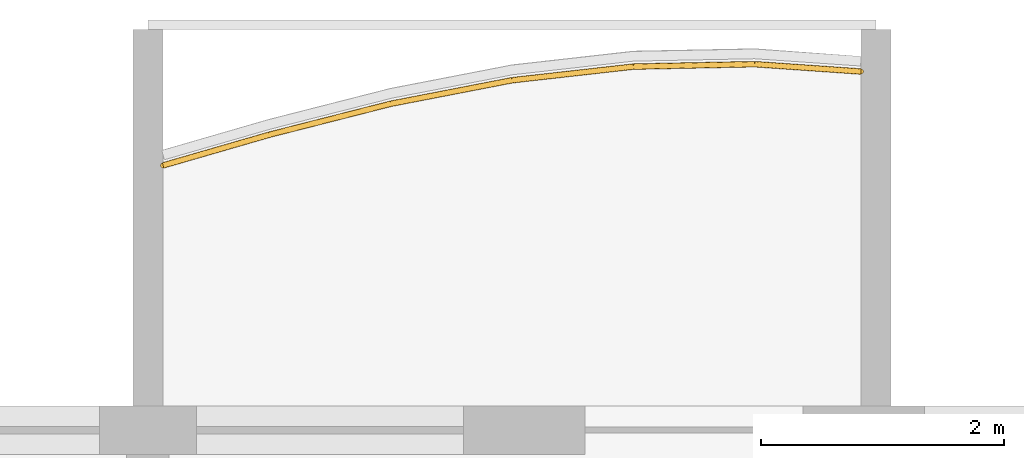
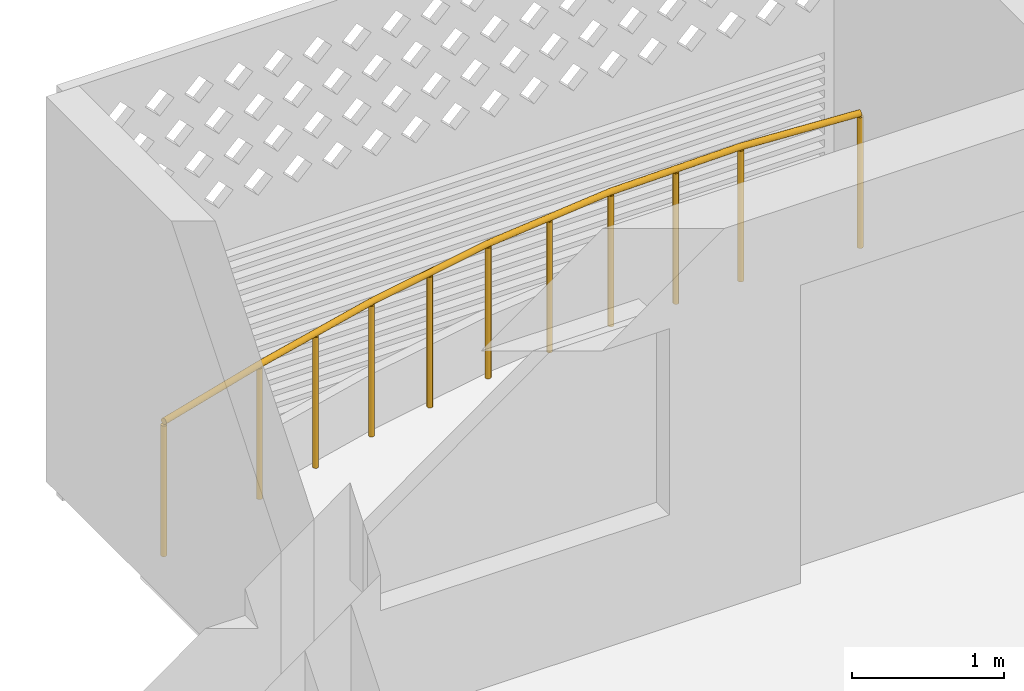
# One storey, part 20 of 30: 1 railing.
"""IFC4 building model written with IfcOpenShell, lengths in metres."""

from ifc_helpers import new_model, si_unit, direction, frame, origin, origin_2d, place, context, subcontext, project, spatial, circle, extrude, material, type_object, element, save


model = new_model("IFC4")

# Units and contexts
model_context = context("Model", 3, precision=1e-05, world=origin(), true_north=direction((0.0, 1.0)))
body_context = subcontext(model_context, "Body", "Model", "MODEL_VIEW")
ifc_project = project(units=[si_unit("LENGTHUNIT", "METRE"), si_unit("AREAUNIT", "SQUARE_METRE"), si_unit("VOLUMEUNIT", "CUBIC_METRE"), si_unit("PLANEANGLEUNIT", "RADIAN"), si_unit("MASSUNIT", "GRAM", prefix="KILO")], contexts=[model_context])

# Site, building, storey
site_placement = place(None, origin())
site = spatial("IfcSite", under=ifc_project, at=site_placement, CompositionType="ELEMENT")
building_placement = place(site_placement, origin())
building = spatial("IfcBuilding", under=site, at=building_placement, Name="Poui Terraces", CompositionType="ELEMENT")
storey_placement = place(building_placement, frame((0.0, 0.0, 99.300048828125)))
storey = spatial("IfcBuildingStorey", under=building, at=storey_placement, Name="L27", CompositionType="ELEMENT", Elevation=99.300048828125)

# Railing
ifc_material = material(Name="Painted steel fretwork", Category="steel")
railing_type = type_object("IfcRailingType", Name="BALCONY GUARD 1100", PredefinedType="GUARDRAIL", material=ifc_material)
railing_placement = place(storey_placement, frame((24.125, 45.78173828125, 0.0)))
element("IfcRailing", 1, at=railing_placement, inside=storey, type_object=railing_type, Name="BALCONY GUARD", PredefinedType="GUARDRAIL", context=body_context, shape_type="SweptSolid", body=[
    extrude(circle(Radius=0.02392578125, at=origin_2d()), frame((0.0, 0.0, 1.076171875), z_axis=(0.960669700127, 0.277693585193, 0.0), x_axis=(-0.277693585193, 0.960669700127, 0.0)), (0.0, 0.0, 1.0), 0.910888671875),
    extrude(circle(Radius=0.02392578125, at=origin_2d()), frame((0.875, 0.2529296875, 1.076171875), z_axis=(0.969018976325, 0.246986282052, 0.0), x_axis=(-0.246986282052, 0.969018976325, 0.0)), (0.0, 0.0, 1.0), 1.031982421875),
    extrude(circle(Radius=0.02392578125, at=origin_2d()), frame((1.875, 0.5078125, 1.076171875), z_axis=(0.981724998512, 0.190305090044, 0.0), x_axis=(-0.190305090044, 0.981724998512, 0.0)), (0.0, 0.0, 1.0), 1.0185546875),
    extrude(circle(Radius=0.02392578125, at=origin_2d()), frame((2.875, 0.70166015625, 1.076171875), z_axis=(0.993725924527, 0.111842688283, 0.0), x_axis=(-0.111842688283, 0.993725924527, 0.0)), (0.0, 0.0, 1.0), 1.00634765625),
    extrude(circle(Radius=0.02392578125, at=origin_2d()), frame((3.875, 0.814208984375, 1.076171875), z_axis=(0.999799669399, 0.020015520725, 0.0), x_axis=(-0.020015520725, 0.999799669399, 0.0)), (0.0, 0.0, 1.0), 1.000244140625),
    extrude(circle(Radius=0.02392578125, at=origin_2d()), frame((4.875, 0.834228515625, 1.076171875), z_axis=(0.997614490352, -0.069031359823, 0.0), x_axis=(0.069031359823, 0.997614490352, 0.0)), (0.0, 0.0, 1.0), 0.877197265625),
    extrude(circle(Radius=0.02099609375, at=origin_2d()), origin(), (0.0, 0.0, 1.0), 1.052001953125),
    extrude(circle(Radius=0.02099609375, at=origin_2d()), frame((0.875, 0.2529296875, 0.0)), (0.0, 0.0, 1.0), 1.052001953125),
    extrude(circle(Radius=0.02099609375, at=origin_2d()), frame((1.375, 0.38037109375, 0.0)), (0.0, 0.0, 1.0), 1.052001953125),
    extrude(circle(Radius=0.02099609375, at=origin_2d()), frame((1.875, 0.5078125, 0.0)), (0.0, 0.0, 1.0), 1.052001953125),
    extrude(circle(Radius=0.02099609375, at=origin_2d()), frame((2.375, 0.604736328125, 0.0)), (0.0, 0.0, 1.0), 1.052001953125),
    extrude(circle(Radius=0.02099609375, at=origin_2d()), frame((2.875, 0.70166015625, 0.0)), (0.0, 0.0, 1.0), 1.052001953125),
    extrude(circle(Radius=0.02099609375, at=origin_2d()), frame((3.375, 0.7578125, 0.0)), (0.0, 0.0, 1.0), 1.052001953125),
    extrude(circle(Radius=0.02099609375, at=origin_2d()), frame((3.875, 0.814208984375, 0.0)), (0.0, 0.0, 1.0), 1.052001953125),
    extrude(circle(Radius=0.02099609375, at=origin_2d()), frame((4.375, 0.82421875, 0.0)), (0.0, 0.0, 1.0), 1.052001953125),
    extrude(circle(Radius=0.02099609375, at=origin_2d()), frame((4.875, 0.834228515625, 0.0)), (0.0, 0.0, 1.0), 1.052001953125),
    extrude(circle(Radius=0.02099609375, at=origin_2d()), frame((5.75, 0.773681640625, 0.0)), (0.0, 0.0, 1.0), 1.052001953125),
])

save(model, "model.ifc")
